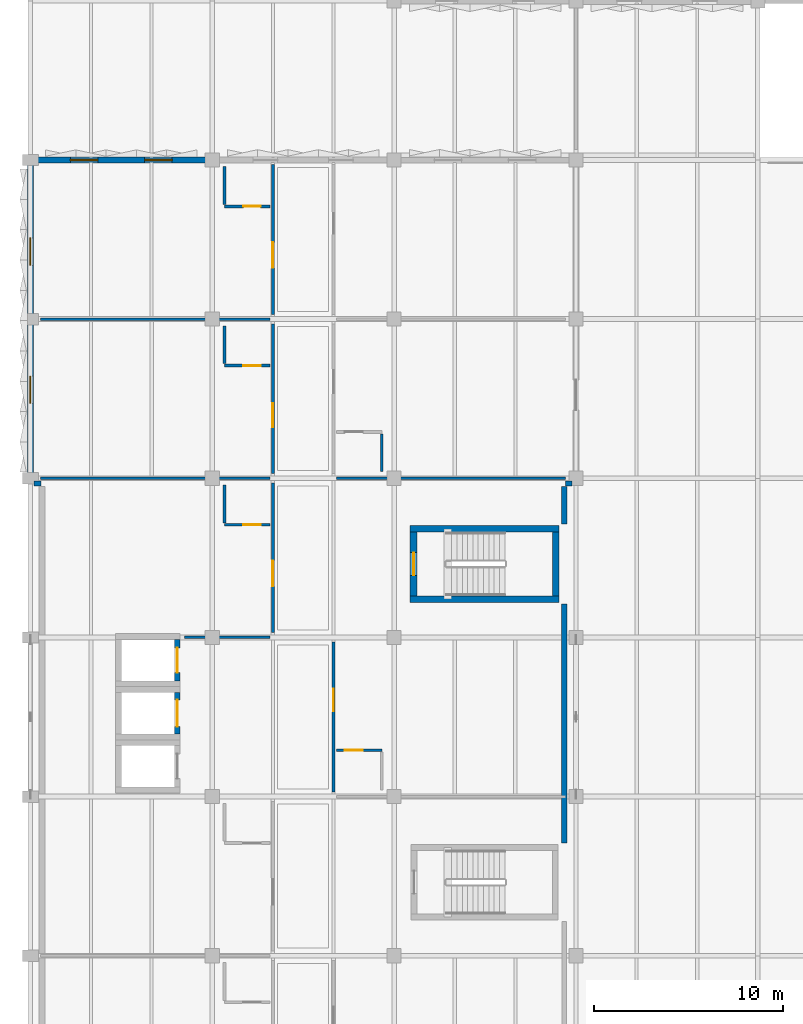
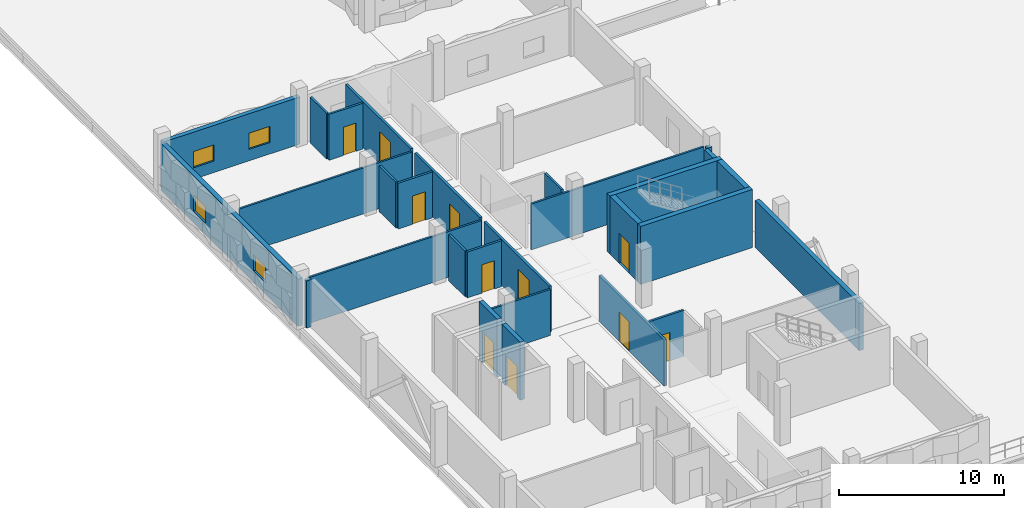
# One storey, part 55 of 86: 28 walls, 11 doors, 4 windows, 15 openings.
"""IFC4 building model written with IfcOpenShell, lengths in metres."""

from ifc_helpers import new_model, si_unit, direction, frame, frame_2d, origin, place, context, subcontext, project, spatial, rectangle, extrude, material, layer, layer_set, type_object, element, fill, save


model = new_model("IFC4")

# Units and contexts
model_context = context("Model", 3, precision=1e-05, world=origin(), true_north=direction((0.0, 1.0)))
body_context = subcontext(model_context, "Body", "Model", "MODEL_VIEW")
ifc_project = project(units=[si_unit("LENGTHUNIT", "METRE"), si_unit("AREAUNIT", "SQUARE_METRE"), si_unit("VOLUMEUNIT", "CUBIC_METRE"), si_unit("PLANEANGLEUNIT", "RADIAN"), si_unit("MASSUNIT", "GRAM", prefix="KILO")], contexts=[model_context])

# Site, building, storey
site_placement = place(None, origin())
site = spatial("IfcSite", under=ifc_project, at=site_placement, CompositionType="ELEMENT")
building_placement = place(site_placement, origin())
building = spatial("IfcBuilding", under=site, at=building_placement, Name="Oolite Switchyard Hospital", CompositionType="ELEMENT")
storey_placement = place(building_placement, frame((0.0, 0.0, 13.5)))
storey = spatial("IfcBuildingStorey", under=building, at=storey_placement, Name="L03", CompositionType="ELEMENT", Elevation=13.5)

# Walls
ifc_material_1 = material(Name="Precast oolitic limestone architectural concrete C40/50", Category="masonry")
ifc_layer_1 = layer(ifc_material_1, 0.260009765625)
ifc_layer_set_1 = layer_set([ifc_layer_1], Name="WAL-EXT-260")
wall_type_1 = type_object("IfcWallType", Name="WAL-EXT-260", PredefinedType="SOLIDWALL", material=ifc_layer_set_1)
for number, where, z_axis, x_axis, name in (
    (1, (0.199951171875, 66.919921875, 0.0), (0.0, 0.0, 1.0), (1.0, 0.0, 0.0), "L03 Brace Alcove Cheek Wall 222"),
    (2, (28.60009765625, 66.919921875, 0.0), (0.0, 0.0, 1.0), (-1.0, 0.0, 0.0), "L03 Brace Alcove Cheek Wall 226"),
):
    element("IfcWall", number, at=place(storey_placement, frame(where, z_axis=z_axis, x_axis=x_axis)), inside=storey, type_object=wall_type_1, Name=name, PredefinedType="SOLIDWALL", context=body_context, shape_type="SweptSolid", body=[
        extrude(rectangle(XDim=0.360107421875, YDim=0.260009765625, at=frame_2d((0.18017578125, 0.0))), origin(), (0.0, 0.0, 1.0), 3.489990234375),
    ])
ifc_layer_2 = layer(ifc_material_1, 0.280029296875)
ifc_layer_set_2 = layer_set([ifc_layer_2], Name="WAL-EXT-280")
wall_type_2 = type_object("IfcWallType", Name="WAL-EXT-280", PredefinedType="SOLIDWALL", material=ifc_layer_set_2)
wall_1_placement = place(storey_placement, frame((28.179931640625, 66.780029296875, 0.0), z_axis=(0.0, 0.0, 1.0), x_axis=(0.0, -1.0, 0.0)))
element("IfcWall", 3, at=wall_1_placement, inside=storey, type_object=wall_type_2, Name="L03 Exterior Spandrel Wall 229", PredefinedType="SOLIDWALL", context=body_context, shape_type="SweptSolid", body=[
    extrude(rectangle(XDim=1.9951171875, YDim=0.280029296875, at=frame_2d((0.99755859375, 0.0))), origin(), (0.0, 0.0, 1.0), 3.489990234375),
])

# Wall, openings, windows
ifc_layer_3 = layer(ifc_material_1, 0.300048828125)
ifc_layer_set_3 = layer_set([ifc_layer_3], Name="WAL-EXT-300")
wall_type_3 = type_object("IfcWallType", Name="WAL-EXT-300", PredefinedType="SOLIDWALL", material=ifc_layer_set_3)
wall_2_placement = place(storey_placement, frame((0.0, 84.0, 0.0), z_axis=(0.0, 0.0, 1.0), x_axis=(1.0, 0.0, 0.0)))
wall_2 = element("IfcWall", 4, at=wall_2_placement, inside=storey, type_object=wall_type_3, Name="L03 Exterior Spandrel Wall 188", PredefinedType="SOLIDWALL", context=body_context, shape_type="SweptSolid", body=[
    extrude(rectangle(XDim=9.60009765625, YDim=0.300048828125, at=frame_2d((4.800048828125, 0.0))), origin(), (0.0, 0.0, 1.0), 3.489990234375),
])
opening_1_placement = place(wall_2_placement, frame((2.118896484375, 0.0, 0.85009765625)))
opening_1 = element("IfcOpeningElement", 5, at=opening_1_placement, cuts=wall_2, Name="Opening WN-0081", PredefinedType="OPENING", context=body_context, shape_type="SweptSolid", body=[
    extrude(rectangle(XDim=1.449951171875, YDim=1.199951171875, at=frame_2d((0.72509765625, 0.60009765625))), frame((0.0, 0.16015625, 0.0), z_axis=(0.0, -1.0, 0.0), x_axis=(1.0, 0.0, 0.0)), (0.0, 0.0, 1.0), 0.320068359375),
])
opening_2_placement = place(wall_2_placement, frame((6.031005859375, 0.0, 0.85009765625)))
opening_2 = element("IfcOpeningElement", 6, at=opening_2_placement, cuts=wall_2, Name="Opening WN-0082", PredefinedType="OPENING", context=body_context, shape_type="SweptSolid", body=[
    extrude(rectangle(XDim=1.449951171875, YDim=1.199951171875, at=frame_2d((0.72509765625, 0.60009765625))), frame((0.0, 0.16015625, 0.0), z_axis=(0.0, -1.0, 0.0), x_axis=(1.0, 0.0, 0.0)), (0.0, 0.0, 1.0), 0.320068359375),
])
ifc_material_2 = material(Name="Thermally broken aluminum frame with laminated impact glazing", Category="aluminium")
window_type = type_object("IfcWindowType", Name="WIN-IMP-145X120", PartitioningType="SINGLE_PANEL", PredefinedType="WINDOW", material=ifc_material_2)
window_1_placement = place(opening_1_placement, origin())
window_1 = element("IfcWindow", 7, at=window_1_placement, inside=storey, type_object=window_type, Name="L03 Hurricane Impact Window WN-0081", OverallHeight=1.199951171875, OverallWidth=1.449951171875, PartitioningType="SINGLE_PANEL", PredefinedType="WINDOW", context=body_context, shape_type="SweptSolid", body=[
    extrude(rectangle(XDim=1.449951171875, YDim=1.199951171875, at=frame_2d((0.72509765625, 0.60009765625))), frame((0.0, 0.030029296875, 0.0), z_axis=(0.0, -1.0, 0.0), x_axis=(1.0, 0.0, 0.0)), (0.0, 0.0, 1.0), 0.06005859375),
])
fill(opening_1, window_1)
window_2_placement = place(opening_2_placement, origin())
window_2 = element("IfcWindow", 8, at=window_2_placement, inside=storey, type_object=window_type, Name="L03 Hurricane Impact Window WN-0082", OverallHeight=1.199951171875, OverallWidth=1.449951171875, PartitioningType="SINGLE_PANEL", PredefinedType="WINDOW", context=body_context, shape_type="SweptSolid", body=[
    extrude(rectangle(XDim=1.449951171875, YDim=1.199951171875, at=frame_2d((0.72509765625, 0.60009765625))), frame((0.0, 0.030029296875, 0.0), z_axis=(0.0, -1.0, 0.0), x_axis=(1.0, 0.0, 0.0)), (0.0, 0.0, 1.0), 0.06005859375),
])
fill(opening_2, window_2)

# Wall
wall_3_placement = place(storey_placement, frame((28.179931640625, 60.574951171875, 0.0), z_axis=(0.0, 0.0, 1.0), x_axis=(0.0, -1.0, 0.0)))
element("IfcWall", 9, at=wall_3_placement, inside=storey, type_object=wall_type_3, Name="L03 Exterior Spandrel Wall 230", PredefinedType="SOLIDWALL", context=body_context, shape_type="SweptSolid", body=[
    extrude(rectangle(XDim=12.614990234375, YDim=0.300048828125, at=frame_2d((6.3076171875, 0.0))), origin(), (0.0, 0.0, 1.0), 3.489990234375),
])

# Wall, openings, windows
ifc_layer_4 = layer(ifc_material_1, 0.320068359375)
ifc_layer_set_4 = layer_set([ifc_layer_4], Name="WAL-EXT-320")
wall_type_4 = type_object("IfcWallType", Name="WAL-EXT-320", PredefinedType="SOLIDWALL", material=ifc_layer_set_4)
wall_4_placement = place(storey_placement, frame((0.0, 67.199951171875, 0.0), z_axis=(0.0, 0.0, 1.0), x_axis=(0.0, 1.0, 0.0)))
wall_4 = element("IfcWall", 10, at=wall_4_placement, inside=storey, type_object=wall_type_4, Name="L03 Exterior Spandrel Wall 224", PredefinedType="SOLIDWALL", context=body_context, shape_type="SweptSolid", body=[
    extrude(rectangle(XDim=16.64013671875, YDim=0.320068359375, at=frame_2d((8.320068359375, 0.0))), origin(), (0.0, 0.0, 1.0), 3.489990234375),
])
opening_3_placement = place(wall_4_placement, frame((3.948974609375, 0.0, 0.85009765625)))
opening_3 = element("IfcOpeningElement", 11, at=opening_3_placement, cuts=wall_4, Name="Opening WN-0131", PredefinedType="OPENING", context=body_context, shape_type="SweptSolid", body=[
    extrude(rectangle(XDim=1.449951171875, YDim=1.199951171875, at=frame_2d((0.72509765625, 0.60009765625))), frame((0.0, 0.169921875, 0.0), z_axis=(0.0, -1.0, 0.0), x_axis=(1.0, 0.0, 0.0)), (0.0, 0.0, 1.0), 0.340087890625),
])
opening_4_placement = place(wall_4_placement, frame((11.240966796875, 0.0, 0.85009765625)))
opening_4 = element("IfcOpeningElement", 12, at=opening_4_placement, cuts=wall_4, Name="Opening WN-0132", PredefinedType="OPENING", context=body_context, shape_type="SweptSolid", body=[
    extrude(rectangle(XDim=1.449951171875, YDim=1.199951171875, at=frame_2d((0.72509765625, 0.60009765625))), frame((0.0, 0.169921875, 0.0), z_axis=(0.0, -1.0, 0.0), x_axis=(1.0, 0.0, 0.0)), (0.0, 0.0, 1.0), 0.340087890625),
])
window_3_placement = place(opening_3_placement, origin())
window_3 = element("IfcWindow", 13, at=window_3_placement, inside=storey, type_object=window_type, Name="L03 Hurricane Impact Window WN-0131", OverallHeight=1.199951171875, OverallWidth=1.449951171875, PartitioningType="SINGLE_PANEL", PredefinedType="WINDOW", context=body_context, shape_type="SweptSolid", body=[
    extrude(rectangle(XDim=1.449951171875, YDim=1.199951171875, at=frame_2d((0.72509765625, 0.60009765625))), frame((0.0, 0.030029296875, 0.0), z_axis=(0.0, -1.0, 0.0), x_axis=(1.0, 0.0, 0.0)), (0.0, 0.0, 1.0), 0.06005859375),
])
fill(opening_3, window_3)
window_4_placement = place(opening_4_placement, origin())
window_4 = element("IfcWindow", 14, at=window_4_placement, inside=storey, type_object=window_type, Name="L03 Hurricane Impact Window WN-0132", OverallHeight=1.199951171875, OverallWidth=1.449951171875, PartitioningType="SINGLE_PANEL", PredefinedType="WINDOW", context=body_context, shape_type="SweptSolid", body=[
    extrude(rectangle(XDim=1.449951171875, YDim=1.199951171875, at=frame_2d((0.72509765625, 0.60009765625))), frame((0.0, 0.030029296875, 0.0), z_axis=(0.0, -1.0, 0.0), x_axis=(1.0, 0.0, 0.0)), (0.0, 0.0, 1.0), 0.06005859375),
])
fill(opening_4, window_4)

# Walls
ifc_material_3 = material(Name="Moisture-resistant gypsum board on steel studs", Category="steel")
ifc_layer_5 = layer(ifc_material_3, 0.135009765625)
ifc_layer_set_5 = layer_set([ifc_layer_5], Name="WAL-PART-135")
wall_type_5 = type_object("IfcWallType", Name="WAL-PART-135", PredefinedType="PARTITIONING", material=ifc_layer_set_5)
wall_5_placement = place(storey_placement, frame((8.1298828125, 58.800048828125, 0.0), z_axis=(0.0, 0.0, 1.0), x_axis=(1.0, 0.0, 0.0)))
element("IfcWall", 15, at=wall_5_placement, inside=storey, type_object=wall_type_5, Name="L03 Interior Partition 649", PredefinedType="PARTITIONING", context=body_context, shape_type="SweptSolid", body=[
    extrude(rectangle(XDim=4.52001953125, YDim=0.135009765625, at=frame_2d((2.260009765625, 0.0))), origin(), (0.0, 0.0, 1.0), 3.39990234375),
])
wall_6_placement = place(storey_placement, frame((0.550048828125, 67.199951171875, 0.0), z_axis=(0.0, 0.0, 1.0), x_axis=(1.0, 0.0, 0.0)))
element("IfcWall", 16, at=wall_6_placement, inside=storey, type_object=wall_type_5, Name="L03 Interior Partition 653", PredefinedType="PARTITIONING", context=body_context, shape_type="SweptSolid", body=[
    extrude(rectangle(XDim=12.099853515625, YDim=0.135009765625, at=frame_2d((6.0498046875, 0.0))), origin(), (0.0, 0.0, 1.0), 3.39990234375),
])
wall_7_placement = place(storey_placement, frame((16.14990234375, 67.199951171875, 0.0), z_axis=(0.0, 0.0, 1.0), x_axis=(1.0, 0.0, 0.0)))
element("IfcWall", 17, at=wall_7_placement, inside=storey, type_object=wall_type_5, Name="L03 Interior Partition 657", PredefinedType="PARTITIONING", context=body_context, shape_type="SweptSolid", body=[
    extrude(rectangle(XDim=12.10009765625, YDim=0.135009765625, at=frame_2d((6.050048828125, 0.0))), origin(), (0.0, 0.0, 1.0), 3.39990234375),
])
wall_8_placement = place(storey_placement, frame((0.550048828125, 75.60009765625, 0.0), z_axis=(0.0, 0.0, 1.0), x_axis=(1.0, 0.0, 0.0)))
element("IfcWall", 18, at=wall_8_placement, inside=storey, type_object=wall_type_5, Name="L03 Interior Partition 661", PredefinedType="PARTITIONING", context=body_context, shape_type="SweptSolid", body=[
    extrude(rectangle(XDim=12.099853515625, YDim=0.135009765625, at=frame_2d((6.0498046875, 0.0))), origin(), (0.0, 0.0, 1.0), 3.39990234375),
])

# Wall, opening, door
ifc_layer_6 = layer(ifc_material_3, 0.14990234375)
ifc_layer_set_6 = layer_set([ifc_layer_6], Name="WAL-PART-150")
wall_type_6 = type_object("IfcWallType", Name="WAL-PART-150", PredefinedType="PARTITIONING", material=ifc_layer_set_6)
wall_9_placement = place(storey_placement, frame((16.14990234375, 52.85009765625, 0.0), z_axis=(0.0, 0.0, 1.0), x_axis=(1.0, 0.0, 0.0)))
wall_9 = element("IfcWall", 19, at=wall_9_placement, inside=storey, type_object=wall_type_6, Name="L03 Interior Partition 643", PredefinedType="PARTITIONING", context=body_context, shape_type="SweptSolid", body=[
    extrude(rectangle(XDim=2.400146484375, YDim=0.14990234375, at=frame_2d((1.2001953125, 0.0))), origin(), (0.0, 0.0, 1.0), 3.39990234375),
])
opening_5_placement = place(wall_9_placement, frame((0.449951171875, 0.0, 0.0)))
opening_5 = element("IfcOpeningElement", 20, at=opening_5_placement, cuts=wall_9, Name="Opening D-0361", PredefinedType="OPENING", context=body_context, shape_type="SweptSolid", body=[
    extrude(rectangle(XDim=0.949951171875, YDim=2.10009765625, at=frame_2d((0.47509765625, 1.050048828125))), frame((0.0, 0.0849609375, 0.0), z_axis=(0.0, -1.0, 0.0), x_axis=(1.0, 0.0, 0.0)), (0.0, 0.0, 1.0), 0.169921875),
])
ifc_material_4 = material(Name="Solid-core antimicrobial hardwood leaf in steel frame", Category="steel")
door_type_1 = type_object("IfcDoorType", Name="DR-BATH-095X210", OperationType="NOTDEFINED", PredefinedType="DOOR", material=ifc_material_4)
door_1_placement = place(opening_5_placement, origin())
door_1 = element("IfcDoor", 21, at=door_1_placement, inside=storey, type_object=door_type_1, Name="L03 Interior Door D-0361", OperationType="SINGLE_SWING_LEFT", OverallHeight=2.10009765625, OverallWidth=0.949951171875, PredefinedType="DOOR", context=body_context, shape_type="SweptSolid", body=[
    extrude(rectangle(XDim=0.949951171875, YDim=2.10009765625, at=frame_2d((0.47509765625, 1.050048828125))), frame((0.0, 0.02490234375, 0.0), z_axis=(0.0, -1.0, 0.0), x_axis=(1.0, 0.0, 0.0)), (0.0, 0.0, 1.0), 0.050048828125),
])
fill(opening_5, door_1)

wall_10_placement = place(storey_placement, frame((10.25, 64.75, 0.0), z_axis=(0.0, 0.0, 1.0), x_axis=(1.0, 0.0, 0.0)))
wall_10 = element("IfcWall", 22, at=wall_10_placement, inside=storey, type_object=wall_type_6, Name="L03 Interior Partition 647", PredefinedType="PARTITIONING", context=body_context, shape_type="SweptSolid", body=[
    extrude(rectangle(XDim=2.39990234375, YDim=0.14990234375, at=frame_2d((1.199951171875, 0.0))), origin(), (0.0, 0.0, 1.0), 3.39990234375),
])
opening_6_placement = place(wall_10_placement, frame((1.0, 0.0, 0.0)))
opening_6 = element("IfcOpeningElement", 23, at=opening_6_placement, cuts=wall_10, Name="Opening D-0363", PredefinedType="OPENING", context=body_context, shape_type="SweptSolid", body=[
    extrude(rectangle(XDim=0.89990234375, YDim=2.10009765625, at=frame_2d((0.449951171875, 1.050048828125))), frame((0.0, 0.0849609375, 0.0), z_axis=(0.0, -1.0, 0.0), x_axis=(1.0, 0.0, 0.0)), (0.0, 0.0, 1.0), 0.169921875),
])
door_type_2 = type_object("IfcDoorType", Name="DR-BATH-090X210", OperationType="NOTDEFINED", PredefinedType="DOOR", material=ifc_material_4)
door_2_placement = place(opening_6_placement, origin())
door_2 = element("IfcDoor", 24, at=door_2_placement, inside=storey, type_object=door_type_2, Name="L03 Interior Door D-0363", OperationType="SINGLE_SWING_LEFT", OverallHeight=2.10009765625, OverallWidth=0.89990234375, PredefinedType="DOOR", context=body_context, shape_type="SweptSolid", body=[
    extrude(rectangle(XDim=0.89990234375, YDim=2.10009765625, at=frame_2d((0.449951171875, 1.050048828125))), frame((0.0, 0.02490234375, 0.0), z_axis=(0.0, -1.0, 0.0), x_axis=(1.0, 0.0, 0.0)), (0.0, 0.0, 1.0), 0.050048828125),
])
fill(opening_6, door_2)

# Wall
wall_11_placement = place(storey_placement, frame((10.25, 64.85009765625, 0.0), z_axis=(0.0, 0.0, 1.0), x_axis=(0.0, 1.0, 0.0)))
element("IfcWall", 25, at=wall_11_placement, inside=storey, type_object=wall_type_6, Name="L03 Interior Partition 648", PredefinedType="PARTITIONING", context=body_context, shape_type="SweptSolid", body=[
    extrude(rectangle(XDim=2.0, YDim=0.14990234375, at=frame_2d((1.0, 0.0))), origin(), (0.0, 0.0, 1.0), 3.39990234375),
])

# Wall, opening, door
wall_12_placement = place(storey_placement, frame((10.25, 73.14990234375, 0.0), z_axis=(0.0, 0.0, 1.0), x_axis=(1.0, 0.0, 0.0)))
wall_12 = element("IfcWall", 26, at=wall_12_placement, inside=storey, type_object=wall_type_6, Name="L03 Interior Partition 651", PredefinedType="PARTITIONING", context=body_context, shape_type="SweptSolid", body=[
    extrude(rectangle(XDim=2.39990234375, YDim=0.14990234375, at=frame_2d((1.199951171875, 0.0))), origin(), (0.0, 0.0, 1.0), 3.39990234375),
])
opening_7_placement = place(wall_12_placement, frame((1.0, 0.0, 0.0)))
opening_7 = element("IfcOpeningElement", 27, at=opening_7_placement, cuts=wall_12, Name="Opening D-0365", PredefinedType="OPENING", context=body_context, shape_type="SweptSolid", body=[
    extrude(rectangle(XDim=0.89990234375, YDim=2.10009765625, at=frame_2d((0.449951171875, 1.050048828125))), frame((0.0, 0.0849609375, 0.0), z_axis=(0.0, -1.0, 0.0), x_axis=(1.0, 0.0, 0.0)), (0.0, 0.0, 1.0), 0.169921875),
])
door_3_placement = place(opening_7_placement, origin())
door_3 = element("IfcDoor", 28, at=door_3_placement, inside=storey, type_object=door_type_2, Name="L03 Interior Door D-0365", OperationType="SINGLE_SWING_RIGHT", OverallHeight=2.10009765625, OverallWidth=0.89990234375, PredefinedType="DOOR", context=body_context, shape_type="SweptSolid", body=[
    extrude(rectangle(XDim=0.89990234375, YDim=2.10009765625, at=frame_2d((0.449951171875, 1.050048828125))), frame((0.0, 0.02490234375, 0.0), z_axis=(0.0, -1.0, 0.0), x_axis=(1.0, 0.0, 0.0)), (0.0, 0.0, 1.0), 0.050048828125),
])
fill(opening_7, door_3)

# Walls
for number, where, z_axis, x_axis, name in (
    (29, (10.25, 73.25, 0.0), (0.0, 0.0, 1.0), (0.0, 1.0, 0.0), "L03 Interior Partition 652"),
    (30, (18.550048828125, 67.550048828125, 0.0), (0.0, 0.0, 1.0), (0.0, 1.0, 0.0), "L03 Interior Partition 656"),
):
    element("IfcWall", number, at=place(storey_placement, frame(where, z_axis=z_axis, x_axis=x_axis)), inside=storey, type_object=wall_type_6, Name=name, PredefinedType="PARTITIONING", context=body_context, shape_type="SweptSolid", body=[
        extrude(rectangle(XDim=2.0, YDim=0.14990234375, at=frame_2d((1.0, 0.0))), origin(), (0.0, 0.0, 1.0), 3.39990234375),
    ])

# Wall, opening, door
wall_13_placement = place(storey_placement, frame((10.25, 81.550048828125, 0.0), z_axis=(0.0, 0.0, 1.0), x_axis=(1.0, 0.0, 0.0)))
wall_13 = element("IfcWall", 31, at=wall_13_placement, inside=storey, type_object=wall_type_6, Name="L03 Interior Partition 659", PredefinedType="PARTITIONING", context=body_context, shape_type="SweptSolid", body=[
    extrude(rectangle(XDim=2.39990234375, YDim=0.14990234375, at=frame_2d((1.199951171875, 0.0))), origin(), (0.0, 0.0, 1.0), 3.39990234375),
])
opening_8_placement = place(wall_13_placement, frame((1.0, 0.0, 0.0)))
opening_8 = element("IfcOpeningElement", 32, at=opening_8_placement, cuts=wall_13, Name="Opening D-0369", PredefinedType="OPENING", context=body_context, shape_type="SweptSolid", body=[
    extrude(rectangle(XDim=0.89990234375, YDim=2.10009765625, at=frame_2d((0.449951171875, 1.050048828125))), frame((0.0, 0.0849609375, 0.0), z_axis=(0.0, -1.0, 0.0), x_axis=(1.0, 0.0, 0.0)), (0.0, 0.0, 1.0), 0.169921875),
])
door_4_placement = place(opening_8_placement, origin())
door_4 = element("IfcDoor", 33, at=door_4_placement, inside=storey, type_object=door_type_2, Name="L03 Interior Door D-0369", OperationType="SINGLE_SWING_LEFT", OverallHeight=2.10009765625, OverallWidth=0.89990234375, PredefinedType="DOOR", context=body_context, shape_type="SweptSolid", body=[
    extrude(rectangle(XDim=0.89990234375, YDim=2.10009765625, at=frame_2d((0.449951171875, 1.050048828125))), frame((0.0, 0.02490234375, 0.0), z_axis=(0.0, -1.0, 0.0), x_axis=(1.0, 0.0, 0.0)), (0.0, 0.0, 1.0), 0.050048828125),
])
fill(opening_8, door_4)

# Wall
wall_14_placement = place(storey_placement, frame((10.25, 81.64990234375, 0.0), z_axis=(0.0, 0.0, 1.0), x_axis=(0.0, 1.0, 0.0)))
element("IfcWall", 34, at=wall_14_placement, inside=storey, type_object=wall_type_6, Name="L03 Interior Partition 660", PredefinedType="PARTITIONING", context=body_context, shape_type="SweptSolid", body=[
    extrude(rectangle(XDim=2.0, YDim=0.14990234375, at=frame_2d((1.0, 0.0))), origin(), (0.0, 0.0, 1.0), 3.39990234375),
])

# Wall, opening, door
ifc_layer_7 = layer(ifc_material_3, 0.1650390625)
ifc_layer_set_7 = layer_set([ifc_layer_7], Name="WAL-PART-165")
wall_type_7 = type_object("IfcWallType", Name="WAL-PART-165", PredefinedType="PARTITIONING", material=ifc_layer_set_7)
wall_15_placement = place(storey_placement, frame((16.0, 50.64990234375, 0.0), z_axis=(0.0, 0.0, 1.0), x_axis=(0.0, 1.0, 0.0)))
wall_15 = element("IfcWall", 35, at=wall_15_placement, inside=storey, type_object=wall_type_7, Name="L03 Interior Partition 642", PredefinedType="PARTITIONING", context=body_context, shape_type="SweptSolid", body=[
    extrude(rectangle(XDim=7.900146484375, YDim=0.1650390625, at=frame_2d((3.9501953125, 0.0))), origin(), (0.0, 0.0, 1.0), 3.39990234375),
])
opening_9_placement = place(wall_15_placement, frame((4.25, 0.0, 0.0)))
opening_9 = element("IfcOpeningElement", 36, at=opening_9_placement, cuts=wall_15, Name="Opening D-0360", PredefinedType="OPENING", context=body_context, shape_type="SweptSolid", body=[
    extrude(rectangle(XDim=1.199951171875, YDim=2.199951171875, at=frame_2d((0.60009765625, 1.10009765625))), frame((0.0, 0.092529296875, 0.0), z_axis=(0.0, -1.0, 0.0), x_axis=(1.0, 0.0, 0.0)), (0.0, 0.0, 1.0), 0.18505859375),
])
door_type_3 = type_object("IfcDoorType", Name="DR-WARD-120X220", OperationType="NOTDEFINED", PredefinedType="DOOR", material=ifc_material_4)
door_5_placement = place(opening_9_placement, origin())
door_5 = element("IfcDoor", 37, at=door_5_placement, inside=storey, type_object=door_type_3, Name="L03 Interior Door D-0360", OperationType="SINGLE_SWING_RIGHT", OverallHeight=2.199951171875, OverallWidth=1.199951171875, PredefinedType="DOOR", context=body_context, shape_type="SweptSolid", body=[
    extrude(rectangle(XDim=1.199951171875, YDim=2.199951171875, at=frame_2d((0.60009765625, 1.10009765625))), frame((0.0, 0.02490234375, 0.0), z_axis=(0.0, -1.0, 0.0), x_axis=(1.0, 0.0, 0.0)), (0.0, 0.0, 1.0), 0.050048828125),
])
fill(opening_9, door_5)

wall_16_placement = place(storey_placement, frame((12.800048828125, 59.050048828125, 0.0), z_axis=(0.0, 0.0, 1.0), x_axis=(0.0, 1.0, 0.0)))
wall_16 = element("IfcWall", 38, at=wall_16_placement, inside=storey, type_object=wall_type_7, Name="L03 Interior Partition 646", PredefinedType="PARTITIONING", context=body_context, shape_type="SweptSolid", body=[
    extrude(rectangle(XDim=7.89990234375, YDim=0.1650390625, at=frame_2d((3.949951171875, 0.0))), origin(), (0.0, 0.0, 1.0), 3.39990234375),
])
opening_10_placement = place(wall_16_placement, frame((2.449951171875, 0.0, 0.0)))
opening_10 = element("IfcOpeningElement", 39, at=opening_10_placement, cuts=wall_16, Name="Opening D-0362", PredefinedType="OPENING", context=body_context, shape_type="SweptSolid", body=[
    extrude(rectangle(XDim=1.35009765625, YDim=2.39990234375, at=frame_2d((0.675048828125, 1.199951171875))), frame((0.0, 0.092529296875, 0.0), z_axis=(0.0, -1.0, 0.0), x_axis=(1.0, 0.0, 0.0)), (0.0, 0.0, 1.0), 0.18505859375),
])
door_type_4 = type_object("IfcDoorType", Name="DR-ICU-135X240", OperationType="NOTDEFINED", PredefinedType="DOOR", material=ifc_material_4)
door_6_placement = place(opening_10_placement, origin())
door_6 = element("IfcDoor", 40, at=door_6_placement, inside=storey, type_object=door_type_4, Name="L03 Interior Door D-0362", OperationType="SINGLE_SWING_RIGHT", OverallHeight=2.39990234375, OverallWidth=1.35009765625, PredefinedType="DOOR", context=body_context, shape_type="SweptSolid", body=[
    extrude(rectangle(XDim=1.35009765625, YDim=2.39990234375, at=frame_2d((0.675048828125, 1.199951171875))), frame((0.0, 0.02490234375, 0.0), z_axis=(0.0, -1.0, 0.0), x_axis=(1.0, 0.0, 0.0)), (0.0, 0.0, 1.0), 0.050048828125),
])
fill(opening_10, door_6)

wall_17_placement = place(storey_placement, frame((12.800048828125, 67.449951171875, 0.0), z_axis=(0.0, 0.0, 1.0), x_axis=(0.0, 1.0, 0.0)))
wall_17 = element("IfcWall", 41, at=wall_17_placement, inside=storey, type_object=wall_type_7, Name="L03 Interior Partition 650", PredefinedType="PARTITIONING", context=body_context, shape_type="SweptSolid", body=[
    extrude(rectangle(XDim=7.900146484375, YDim=0.1650390625, at=frame_2d((3.9501953125, 0.0))), origin(), (0.0, 0.0, 1.0), 3.39990234375),
])
opening_11_placement = place(wall_17_placement, frame((2.449951171875, 0.0, 0.0)))
opening_11 = element("IfcOpeningElement", 42, at=opening_11_placement, cuts=wall_17, Name="Opening D-0364", PredefinedType="OPENING", context=body_context, shape_type="SweptSolid", body=[
    extrude(rectangle(XDim=1.25, YDim=2.199951171875, at=frame_2d((0.625, 1.10009765625))), frame((0.0, 0.092529296875, 0.0), z_axis=(0.0, -1.0, 0.0), x_axis=(1.0, 0.0, 0.0)), (0.0, 0.0, 1.0), 0.18505859375),
])
door_type_5 = type_object("IfcDoorType", Name="DR-WARD-125X220", OperationType="NOTDEFINED", PredefinedType="DOOR", material=ifc_material_4)
door_7_placement = place(opening_11_placement, origin())
door_7 = element("IfcDoor", 43, at=door_7_placement, inside=storey, type_object=door_type_5, Name="L03 Interior Door D-0364", OperationType="SINGLE_SWING_LEFT", OverallHeight=2.199951171875, OverallWidth=1.25, PredefinedType="DOOR", context=body_context, shape_type="SweptSolid", body=[
    extrude(rectangle(XDim=1.25, YDim=2.199951171875, at=frame_2d((0.625, 1.10009765625))), frame((0.0, 0.02490234375, 0.0), z_axis=(0.0, -1.0, 0.0), x_axis=(1.0, 0.0, 0.0)), (0.0, 0.0, 1.0), 0.050048828125),
])
fill(opening_11, door_7)

wall_18_placement = place(storey_placement, frame((12.800048828125, 75.85009765625, 0.0), z_axis=(0.0, 0.0, 1.0), x_axis=(0.0, 1.0, 0.0)))
wall_18 = element("IfcWall", 44, at=wall_18_placement, inside=storey, type_object=wall_type_7, Name="L03 Interior Partition 658", PredefinedType="PARTITIONING", context=body_context, shape_type="SweptSolid", body=[
    extrude(rectangle(XDim=7.89990234375, YDim=0.1650390625, at=frame_2d((3.949951171875, 0.0))), origin(), (0.0, 0.0, 1.0), 3.39990234375),
])
opening_12_placement = place(wall_18_placement, frame((2.449951171875, 0.0, 0.0)))
opening_12 = element("IfcOpeningElement", 45, at=opening_12_placement, cuts=wall_18, Name="Opening D-0368", PredefinedType="OPENING", context=body_context, shape_type="SweptSolid", body=[
    extrude(rectangle(XDim=1.35009765625, YDim=2.39990234375, at=frame_2d((0.675048828125, 1.199951171875))), frame((0.0, 0.092529296875, 0.0), z_axis=(0.0, -1.0, 0.0), x_axis=(1.0, 0.0, 0.0)), (0.0, 0.0, 1.0), 0.18505859375),
])
door_8_placement = place(opening_12_placement, origin())
door_8 = element("IfcDoor", 46, at=door_8_placement, inside=storey, type_object=door_type_4, Name="L03 Interior Door D-0368", OperationType="SINGLE_SWING_RIGHT", OverallHeight=2.39990234375, OverallWidth=1.35009765625, PredefinedType="DOOR", context=body_context, shape_type="SweptSolid", body=[
    extrude(rectangle(XDim=1.35009765625, YDim=2.39990234375, at=frame_2d((0.675048828125, 1.199951171875))), frame((0.0, 0.02490234375, 0.0), z_axis=(0.0, -1.0, 0.0), x_axis=(1.0, 0.0, 0.0)), (0.0, 0.0, 1.0), 0.050048828125),
])
fill(opening_12, door_8)

ifc_material_5 = material(Name="Concrete C50/60", Category="concrete")
ifc_layer_8 = layer(ifc_material_5, 0.300048828125)
ifc_layer_set_8 = layer_set([ifc_layer_8], Name="WAL-SHR-300")
wall_type_8 = type_object("IfcWallType", Name="WAL-SHR-300", PredefinedType="SHEAR", material=ifc_layer_set_8)
wall_19_placement = place(storey_placement, frame((7.75, 53.699951171875, 0.0), z_axis=(0.0, 0.0, 1.0), x_axis=(0.0, 1.0, 0.0)))
wall_19 = element("IfcWall", 47, at=wall_19_placement, inside=storey, type_object=wall_type_8, Name="L03 Lift Shaft Shear Wall EL-06", PredefinedType="SHEAR", context=body_context, shape_type="SweptSolid", body=[
    extrude(rectangle(XDim=2.199951171875, YDim=0.300048828125, at=frame_2d((1.10009765625, 0.0))), origin(), (0.0, 0.0, 1.0), 4.300048828125),
])
opening_13_placement = place(wall_19_placement, frame((0.39990234375, 0.0, 0.0)))
opening_13 = element("IfcOpeningElement", 48, at=opening_13_placement, cuts=wall_19, Name="Opening LD-045", PredefinedType="OPENING", context=body_context, shape_type="SweptSolid", body=[
    extrude(rectangle(XDim=1.39990234375, YDim=2.300048828125, at=frame_2d((0.699951171875, 1.14990234375))), frame((0.0, 0.16015625, 0.0), z_axis=(0.0, -1.0, 0.0), x_axis=(1.0, 0.0, 0.0)), (0.0, 0.0, 1.0), 0.320068359375),
])
ifc_material_6 = material(Name="Brushed stainless steel fire-rated sliding landing door", Category="steel")
door_type_6 = type_object("IfcDoorType", Name="DR-LD-140X230", OperationType="NOTDEFINED", PredefinedType="DOOR", material=ifc_material_6)
door_9_placement = place(opening_13_placement, origin())
door_9 = element("IfcDoor", 49, at=door_9_placement, inside=storey, type_object=door_type_6, Name="L03 EL-06 Lift Landing Door LD-045", OperationType="SLIDING_TO_LEFT", OverallHeight=2.300048828125, OverallWidth=1.39990234375, PredefinedType="DOOR", context=body_context, shape_type="SweptSolid", body=[
    extrude(rectangle(XDim=1.39990234375, YDim=2.300048828125, at=frame_2d((0.699951171875, 1.14990234375))), frame((0.0, 0.02490234375, 0.0), z_axis=(0.0, -1.0, 0.0), x_axis=(1.0, 0.0, 0.0)), (0.0, 0.0, 1.0), 0.050048828125),
])
fill(opening_13, door_9)

wall_20_placement = place(storey_placement, frame((7.75, 56.5, 0.0), z_axis=(0.0, 0.0, 1.0), x_axis=(0.0, 1.0, 0.0)))
wall_20 = element("IfcWall", 50, at=wall_20_placement, inside=storey, type_object=wall_type_8, Name="L03 Lift Shaft Shear Wall EL-07", PredefinedType="SHEAR", context=body_context, shape_type="SweptSolid", body=[
    extrude(rectangle(XDim=2.199951171875, YDim=0.300048828125, at=frame_2d((1.10009765625, 0.0))), origin(), (0.0, 0.0, 1.0), 4.300048828125),
])
opening_14_placement = place(wall_20_placement, frame((0.449951171875, 0.0, 0.0)))
opening_14 = element("IfcOpeningElement", 51, at=opening_14_placement, cuts=wall_20, Name="Opening LD-052", PredefinedType="OPENING", context=body_context, shape_type="SweptSolid", body=[
    extrude(rectangle(XDim=1.300048828125, YDim=2.300048828125, at=frame_2d((0.64990234375, 1.14990234375))), frame((0.0, 0.16015625, 0.0), z_axis=(0.0, -1.0, 0.0), x_axis=(1.0, 0.0, 0.0)), (0.0, 0.0, 1.0), 0.320068359375),
])
door_type_7 = type_object("IfcDoorType", Name="DR-LD-130X230", OperationType="NOTDEFINED", PredefinedType="DOOR", material=ifc_material_6)
door_10_placement = place(opening_14_placement, origin())
door_10 = element("IfcDoor", 52, at=door_10_placement, inside=storey, type_object=door_type_7, Name="L03 EL-07 Lift Landing Door LD-052", OperationType="SLIDING_TO_RIGHT", OverallHeight=2.300048828125, OverallWidth=1.300048828125, PredefinedType="DOOR", context=body_context, shape_type="SweptSolid", body=[
    extrude(rectangle(XDim=1.300048828125, YDim=2.300048828125, at=frame_2d((0.64990234375, 1.14990234375))), frame((0.0, 0.02490234375, 0.0), z_axis=(0.0, -1.0, 0.0), x_axis=(1.0, 0.0, 0.0)), (0.0, 0.0, 1.0), 0.050048828125),
])
fill(opening_14, door_10)

# Walls
ifc_layer_9 = layer(ifc_material_5, 0.35009765625)
ifc_layer_set_9 = layer_set([ifc_layer_9], Name="WAL-SHR-350")
wall_type_9 = type_object("IfcWallType", Name="WAL-SHR-350", PredefinedType="SHEAR", material=ifc_layer_set_9)
wall_21_placement = place(storey_placement, frame((20.050048828125, 60.824951171875, 0.0), z_axis=(0.0, 0.0, 1.0), x_axis=(1.0, 0.0, 0.0)))
element("IfcWall", 53, at=wall_21_placement, inside=storey, type_object=wall_type_9, Name="L03 Core Shear Wall ST-02", PredefinedType="SHEAR", context=body_context, shape_type="SweptSolid", body=[
    extrude(rectangle(XDim=7.849853515625, YDim=0.35009765625, at=frame_2d((3.9248046875, 0.0))), origin(), (0.0, 0.0, 1.0), 4.300048828125),
])
wall_22_placement = place(storey_placement, frame((27.72509765625, 61.0, 0.0), z_axis=(0.0, 0.0, 1.0), x_axis=(0.0, 1.0, 0.0)))
element("IfcWall", 54, at=wall_22_placement, inside=storey, type_object=wall_type_9, Name="L03 Core Shear Wall ST-02", PredefinedType="SHEAR", context=body_context, shape_type="SweptSolid", body=[
    extrude(rectangle(XDim=3.360107421875, YDim=0.35009765625, at=frame_2d((1.68017578125, 0.0))), origin(), (0.0, 0.0, 1.0), 4.300048828125),
])
wall_23_placement = place(storey_placement, frame((27.89990234375, 64.534912109375, 0.0), z_axis=(0.0, 0.0, 1.0), x_axis=(-1.0, 0.0, 0.0)))
element("IfcWall", 55, at=wall_23_placement, inside=storey, type_object=wall_type_9, Name="L03 Core Shear Wall ST-02", PredefinedType="SHEAR", context=body_context, shape_type="SweptSolid", body=[
    extrude(rectangle(XDim=7.849853515625, YDim=0.35009765625, at=frame_2d((3.9248046875, 0.0))), origin(), (0.0, 0.0, 1.0), 4.300048828125),
])

# Wall, opening, door
wall_24_placement = place(storey_placement, frame((20.22509765625, 64.360107421875, 0.0), z_axis=(0.0, 0.0, 1.0), x_axis=(0.0, -1.0, 0.0)))
wall_24 = element("IfcWall", 56, at=wall_24_placement, inside=storey, type_object=wall_type_9, Name="L03 Core Shear Wall ST-02", PredefinedType="SHEAR", context=body_context, shape_type="SweptSolid", body=[
    extrude(rectangle(XDim=3.360107421875, YDim=0.35009765625, at=frame_2d((1.68017578125, 0.0))), origin(), (0.0, 0.0, 1.0), 4.300048828125),
])
opening_15_placement = place(wall_24_placement, frame((1.080078125, 0.0, 0.0)))
opening_15 = element("IfcOpeningElement", 57, at=opening_15_placement, cuts=wall_24, Name="Opening SD-011", PredefinedType="OPENING", context=body_context, shape_type="SweptSolid", body=[
    extrude(rectangle(XDim=1.199951171875, YDim=2.199951171875, at=frame_2d((0.60009765625, 1.10009765625))), frame((0.0, 0.18505859375, 0.0), z_axis=(0.0, -1.0, 0.0), x_axis=(1.0, 0.0, 0.0)), (0.0, 0.0, 1.0), 0.3701171875),
])
ifc_material_7 = material(Name="Hollow metal fire-rated steel door assembly", Category="steel")
door_type_8 = type_object("IfcDoorType", Name="DR-STR-120X220", OperationType="NOTDEFINED", PredefinedType="DOOR", material=ifc_material_7)
door_11_placement = place(opening_15_placement, origin())
door_11 = element("IfcDoor", 58, at=door_11_placement, inside=storey, type_object=door_type_8, Name="L03 ST-02 Exit Stair Door SD-011", OperationType="SINGLE_SWING_LEFT", OverallHeight=2.199951171875, OverallWidth=1.199951171875, PredefinedType="DOOR", context=body_context, shape_type="SweptSolid", body=[
    extrude(rectangle(XDim=1.199951171875, YDim=2.199951171875, at=frame_2d((0.60009765625, 1.10009765625))), frame((0.0, 0.02490234375, 0.0), z_axis=(0.0, -1.0, 0.0), x_axis=(1.0, 0.0, 0.0)), (0.0, 0.0, 1.0), 0.050048828125),
])
fill(opening_15, door_11)

save(model, "model.ifc")
